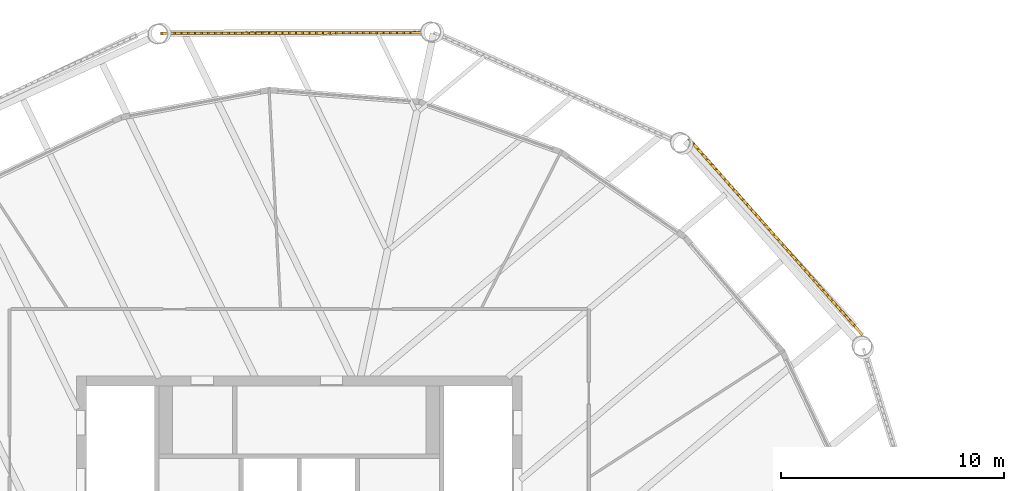
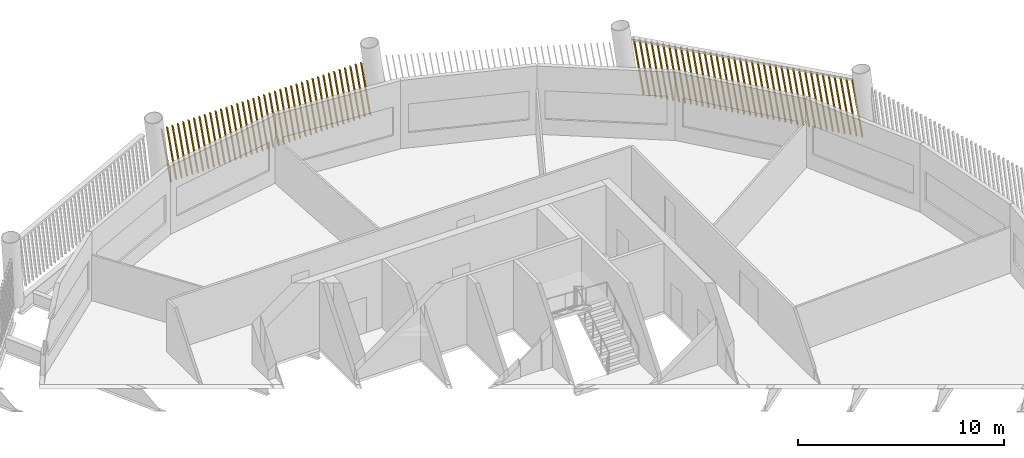
# One storey, part 30 of 31: 2 shading devices.
"""IFC4 building model written with IfcOpenShell, lengths in metres."""

from ifc_helpers import new_model, si_unit, direction, frame, frame_2d, origin, place, context, subcontext, project, spatial, rectangle, composite_profile, extrude, material, type_object, element, save


model = new_model("IFC4")

# Units and contexts
model_context = context("Model", 3, precision=1e-05, world=origin(), true_north=direction((0.0, 1.0)))
body_context = subcontext(model_context, "Body", "Model", "MODEL_VIEW")
ifc_project = project(units=[si_unit("LENGTHUNIT", "METRE"), si_unit("AREAUNIT", "SQUARE_METRE"), si_unit("VOLUMEUNIT", "CUBIC_METRE"), si_unit("PLANEANGLEUNIT", "RADIAN"), si_unit("MASSUNIT", "GRAM", prefix="KILO")], contexts=[model_context])

# Site, building, storey
site_placement = place(None, origin())
site = spatial("IfcSite", under=ifc_project, at=site_placement, CompositionType="ELEMENT")
building_placement = place(site_placement, origin())
building = spatial("IfcBuilding", under=site, at=building_placement, Name="Tarsis Ring Headquarters", CompositionType="ELEMENT")
storey_placement = place(building_placement, frame((0.0, 0.0, 390.199951171875)))
storey = spatial("IfcBuildingStorey", under=building, at=storey_placement, Name="L92", CompositionType="ELEMENT", Elevation=390.199951171875)

# Shading devices
ifc_material = material(Name="Terracotta baguette", Category="masonry")
shading_device_type = type_object("IfcShadingDeviceType", Name="Terracotta baguette screen", PredefinedType="USERDEFINED", material=ifc_material)
shading_device_1_placement = place(storey_placement, frame((25.2783203125, 14.845458984375, 0.0), z_axis=(0.0, 0.0, 1.0), x_axis=(-0.662441671188, 0.749126424308, 0.0)))
element("IfcShadingDevice", 1, at=shading_device_1_placement, inside=storey, type_object=shading_device_type, Name="Baguette screen L92-07", ObjectType="Terracotta baguette screen", PredefinedType="USERDEFINED", context=body_context, shape_type="SweptSolid", body=[
    extrude(composite_profile([rectangle(XDim=0.06005859375, YDim=0.1201171875, at=frame_2d((0.030029296875, 0.0))), rectangle(XDim=0.06005859375, YDim=0.1201171875, at=frame_2d((0.33251953125, 0.0))), rectangle(XDim=0.06005859375, YDim=0.1201171875, at=frame_2d((0.634765625, 0.0))), rectangle(XDim=0.06005859375, YDim=0.1201171875, at=frame_2d((0.937255859375, 0.0))), rectangle(XDim=0.06005859375, YDim=0.1201171875, at=frame_2d((1.239501953125, 0.0))), rectangle(XDim=0.06005859375, YDim=0.1201171875, at=frame_2d((1.5419921875, 0.0))), rectangle(XDim=0.06005859375, YDim=0.1201171875, at=frame_2d((1.844482421875, 0.0))), rectangle(XDim=0.06005859375, YDim=0.1201171875, at=frame_2d((2.146728515625, 0.0))), rectangle(XDim=0.06005859375, YDim=0.1201171875, at=frame_2d((2.44921875, 0.0))), rectangle(XDim=0.06005859375, YDim=0.1201171875, at=frame_2d((2.751708984375, 0.0))), rectangle(XDim=0.06005859375, YDim=0.1201171875, at=frame_2d((3.053955078125, 0.0))), rectangle(XDim=0.06005859375, YDim=0.1201171875, at=frame_2d((3.3564453125, 0.0))), rectangle(XDim=0.06005859375, YDim=0.1201171875, at=frame_2d((3.65869140625, 0.0))), rectangle(XDim=0.06005859375, YDim=0.1201171875, at=frame_2d((3.961181640625, 0.0))), rectangle(XDim=0.06005859375, YDim=0.1201171875, at=frame_2d((4.263671875, 0.0))), rectangle(XDim=0.06005859375, YDim=0.1201171875, at=frame_2d((4.56591796875, 0.0))), rectangle(XDim=0.06005859375, YDim=0.1201171875, at=frame_2d((4.868408203125, 0.0))), rectangle(XDim=0.06005859375, YDim=0.1201171875, at=frame_2d((5.1708984375, 0.0))), rectangle(XDim=0.06005859375, YDim=0.1201171875, at=frame_2d((5.47314453125, 0.0))), rectangle(XDim=0.06005859375, YDim=0.1201171875, at=frame_2d((5.775634765625, 0.0))), rectangle(XDim=0.06005859375, YDim=0.1201171875, at=frame_2d((6.077880859375, 0.0))), rectangle(XDim=0.06005859375, YDim=0.1201171875, at=frame_2d((6.38037109375, 0.0))), rectangle(XDim=0.06005859375, YDim=0.1201171875, at=frame_2d((6.682861328125, 0.0))), rectangle(XDim=0.06005859375, YDim=0.1201171875, at=frame_2d((6.985107421875, 0.0))), rectangle(XDim=0.06005859375, YDim=0.1201171875, at=frame_2d((7.28759765625, 0.0))), rectangle(XDim=0.06005859375, YDim=0.1201171875, at=frame_2d((7.590087890625, 0.0))), rectangle(XDim=0.06005859375, YDim=0.1201171875, at=frame_2d((7.892333984375, 0.0))), rectangle(XDim=0.06005859375, YDim=0.1201171875, at=frame_2d((8.19482421875, 0.0))), rectangle(XDim=0.06005859375, YDim=0.1201171875, at=frame_2d((8.4970703125, 0.0))), rectangle(XDim=0.06005859375, YDim=0.1201171875, at=frame_2d((8.799560546875, 0.0))), rectangle(XDim=0.06005859375, YDim=0.1201171875, at=frame_2d((9.10205078125, 0.0))), rectangle(XDim=0.06005859375, YDim=0.1201171875, at=frame_2d((9.404296875, 0.0))), rectangle(XDim=0.06005859375, YDim=0.1201171875, at=frame_2d((9.706787109375, 0.0))), rectangle(XDim=0.06005859375, YDim=0.1201171875, at=frame_2d((10.00927734375, 0.0))), rectangle(XDim=0.06005859375, YDim=0.1201171875, at=frame_2d((10.3115234375, 0.0))), rectangle(XDim=0.06005859375, YDim=0.1201171875, at=frame_2d((10.614013671875, 0.0))), rectangle(XDim=0.06005859375, YDim=0.1201171875, at=frame_2d((10.916259765625, 0.0))), rectangle(XDim=0.06005859375, YDim=0.1201171875, at=frame_2d((11.21875, 0.0)))]), origin(), (0.157203716458, 0.001427665668, 0.987565164079), 3.32177734375),
])
shading_device_2_placement = place(storey_placement, frame((5.53955078125, 28.412353515625, 0.0), z_axis=(0.0, 0.0, 1.0), x_axis=(-1.0, -0.002995116658, 0.0)))
element("IfcShadingDevice", 2, at=shading_device_2_placement, inside=storey, type_object=shading_device_type, Name="Baguette screen L92-09", ObjectType="Terracotta baguette screen", PredefinedType="USERDEFINED", context=body_context, shape_type="SweptSolid", body=[
    extrude(composite_profile([rectangle(XDim=0.06005859375, YDim=0.1201171875, at=frame_2d((0.030029296875, 0.0))), rectangle(XDim=0.06005859375, YDim=0.1201171875, at=frame_2d((0.33251953125, 0.0))), rectangle(XDim=0.06005859375, YDim=0.1201171875, at=frame_2d((0.634765625, 0.0))), rectangle(XDim=0.06005859375, YDim=0.1201171875, at=frame_2d((0.937255859375, 0.0))), rectangle(XDim=0.06005859375, YDim=0.1201171875, at=frame_2d((1.239501953125, 0.0))), rectangle(XDim=0.06005859375, YDim=0.1201171875, at=frame_2d((1.5419921875, 0.0))), rectangle(XDim=0.06005859375, YDim=0.1201171875, at=frame_2d((1.844482421875, 0.0))), rectangle(XDim=0.06005859375, YDim=0.1201171875, at=frame_2d((2.146728515625, 0.0))), rectangle(XDim=0.06005859375, YDim=0.1201171875, at=frame_2d((2.44921875, 0.0))), rectangle(XDim=0.06005859375, YDim=0.1201171875, at=frame_2d((2.751708984375, 0.0))), rectangle(XDim=0.06005859375, YDim=0.1201171875, at=frame_2d((3.053955078125, 0.0))), rectangle(XDim=0.06005859375, YDim=0.1201171875, at=frame_2d((3.3564453125, 0.0))), rectangle(XDim=0.06005859375, YDim=0.1201171875, at=frame_2d((3.65869140625, 0.0))), rectangle(XDim=0.06005859375, YDim=0.1201171875, at=frame_2d((3.961181640625, 0.0))), rectangle(XDim=0.06005859375, YDim=0.1201171875, at=frame_2d((4.263671875, 0.0))), rectangle(XDim=0.06005859375, YDim=0.1201171875, at=frame_2d((4.56591796875, 0.0))), rectangle(XDim=0.06005859375, YDim=0.1201171875, at=frame_2d((4.868408203125, 0.0))), rectangle(XDim=0.06005859375, YDim=0.1201171875, at=frame_2d((5.1708984375, 0.0))), rectangle(XDim=0.06005859375, YDim=0.1201171875, at=frame_2d((5.47314453125, 0.0))), rectangle(XDim=0.06005859375, YDim=0.1201171875, at=frame_2d((5.775634765625, 0.0))), rectangle(XDim=0.06005859375, YDim=0.1201171875, at=frame_2d((6.077880859375, 0.0))), rectangle(XDim=0.06005859375, YDim=0.1201171875, at=frame_2d((6.38037109375, 0.0))), rectangle(XDim=0.06005859375, YDim=0.1201171875, at=frame_2d((6.682861328125, 0.0))), rectangle(XDim=0.06005859375, YDim=0.1201171875, at=frame_2d((6.985107421875, 0.0))), rectangle(XDim=0.06005859375, YDim=0.1201171875, at=frame_2d((7.28759765625, 0.0))), rectangle(XDim=0.06005859375, YDim=0.1201171875, at=frame_2d((7.590087890625, 0.0))), rectangle(XDim=0.06005859375, YDim=0.1201171875, at=frame_2d((7.892333984375, 0.0))), rectangle(XDim=0.06005859375, YDim=0.1201171875, at=frame_2d((8.19482421875, 0.0))), rectangle(XDim=0.06005859375, YDim=0.1201171875, at=frame_2d((8.4970703125, 0.0))), rectangle(XDim=0.06005859375, YDim=0.1201171875, at=frame_2d((8.799560546875, 0.0))), rectangle(XDim=0.06005859375, YDim=0.1201171875, at=frame_2d((9.10205078125, 0.0))), rectangle(XDim=0.06005859375, YDim=0.1201171875, at=frame_2d((9.404296875, 0.0))), rectangle(XDim=0.06005859375, YDim=0.1201171875, at=frame_2d((9.706787109375, 0.0))), rectangle(XDim=0.06005859375, YDim=0.1201171875, at=frame_2d((10.00927734375, 0.0))), rectangle(XDim=0.06005859375, YDim=0.1201171875, at=frame_2d((10.3115234375, 0.0))), rectangle(XDim=0.06005859375, YDim=0.1201171875, at=frame_2d((10.614013671875, 0.0))), rectangle(XDim=0.06005859375, YDim=0.1201171875, at=frame_2d((10.916259765625, 0.0))), rectangle(XDim=0.06005859375, YDim=0.1201171875, at=frame_2d((11.21875, 0.0)))]), origin(), (0.155203801312, 0.001407626061, 0.987881469938), 3.32080078125),
])

save(model, "model.ifc")
